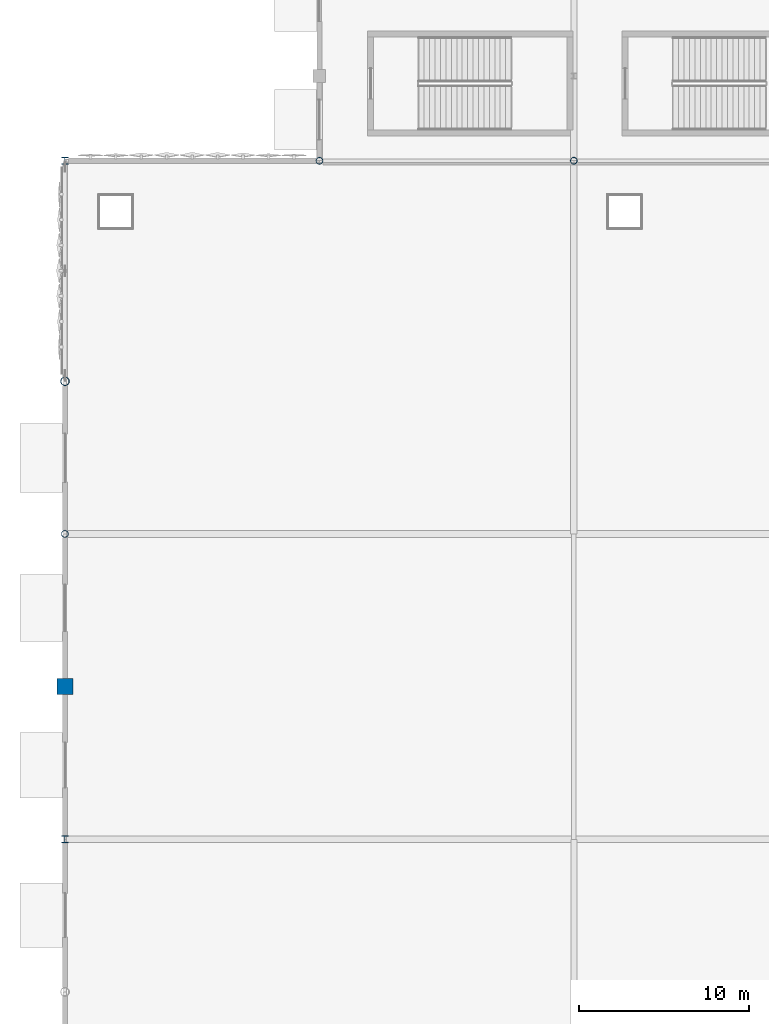
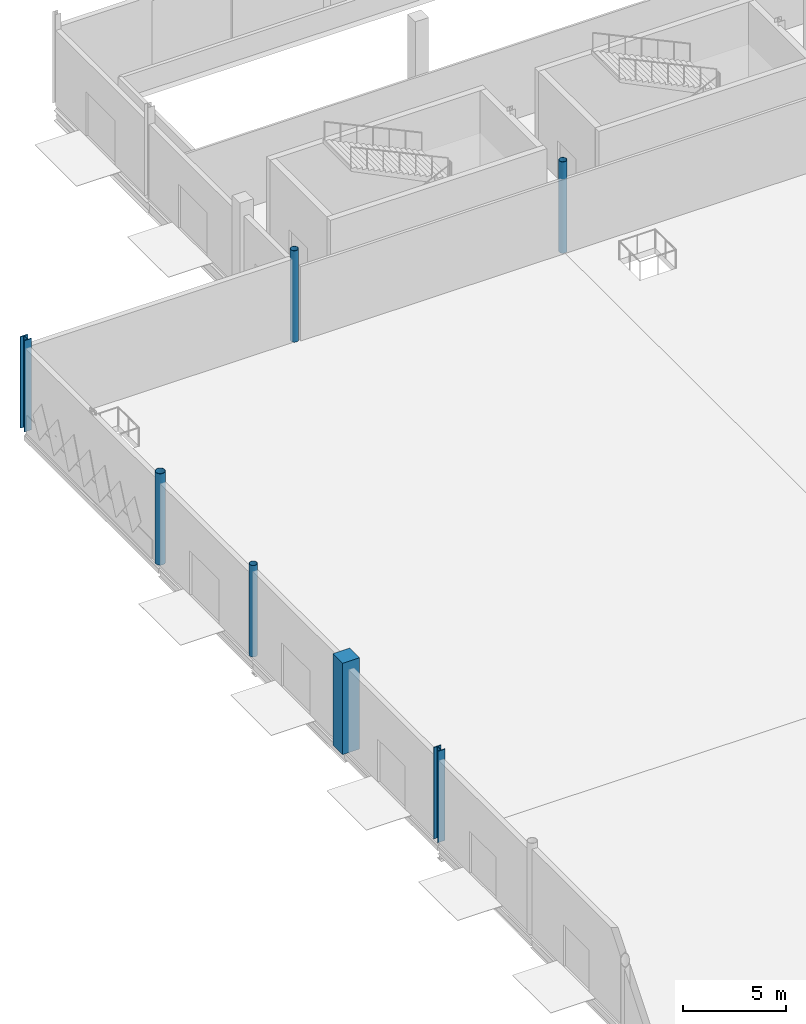
# One storey, part 7 of 94: 7 columns.
"""IFC4 building model written with IfcOpenShell, lengths in metres."""

from ifc_helpers import new_model, si_unit, direction, frame, origin, origin_2d, place, context, subcontext, project, spatial, rectangle, hollow_circle, i_section, extrude, material, material_profile, profile_set, type_object, element, save


model = new_model("IFC4")

# Units and contexts
model_context = context("Model", 3, precision=1e-05, world=origin(), true_north=direction((0.0, 1.0)))
body_context = subcontext(model_context, "Body", "Model", "MODEL_VIEW")
ifc_project = project(units=[si_unit("LENGTHUNIT", "METRE"), si_unit("AREAUNIT", "SQUARE_METRE"), si_unit("VOLUMEUNIT", "CUBIC_METRE"), si_unit("PLANEANGLEUNIT", "RADIAN"), si_unit("MASSUNIT", "GRAM", prefix="KILO")], contexts=[model_context])

# Site, building, storey
site_placement = place(None, origin())
site = spatial("IfcSite", under=ifc_project, at=site_placement, CompositionType="ELEMENT")
building_placement = place(site_placement, origin())
building = spatial("IfcBuilding", under=site, at=building_placement, Name="Qamarlyn Nura Convention Centre", CompositionType="ELEMENT")
storey_placement = place(building_placement, origin())
storey = spatial("IfcBuildingStorey", under=building, at=storey_placement, Name="L00", CompositionType="ELEMENT", Elevation=0.0)

# Columns
ifc_material_1 = material(Name="Pearl-white PVDF steel ASTM A500 Grade C", Category="steel")
ifc_material_profile_1 = material_profile(ifc_material_1, hollow_circle(Radius=0.25390625, WallThickness=0.02001953125, at=origin_2d()), Name="CHS508X20")
ifc_profile_set_1 = profile_set([ifc_material_profile_1], Name="Pearl-white PVDF steel ASTM A500 Grade C")
column_type_1 = type_object("IfcColumnType", Name="COL-HALL-1", PredefinedType="COLUMN", material=ifc_profile_set_1)
column_1_placement = place(storey_placement, frame((0.0, 90.0, 0.0), z_axis=(0.0, 0.0, 1.0), x_axis=(1.0, 0.0, 0.0)))
element("IfcColumn", 1, at=column_1_placement, inside=storey, type_object=column_type_1, Name="L00 column 1/L", PredefinedType="COLUMN", context=body_context, shape_type="SweptSolid", body=[
    extrude(hollow_circle(Radius=0.25390625, WallThickness=0.02001953125, at=origin_2d()), origin(), (0.0, 0.0, 1.0), 5.39990234375),
])
ifc_material_2 = material(Name="Concrete C50/60", Category="concrete")
ifc_material_profile_2 = material_profile(ifc_material_2, rectangle(XDim=0.949951171875, YDim=0.949951171875, at=origin_2d()), Name="RC 950x950")
ifc_profile_set_2 = profile_set([ifc_material_profile_2], Name="Concrete C50/60")
column_type_2 = type_object("IfcColumnType", Name="COL-HALL-2", PredefinedType="COLUMN", material=ifc_profile_set_2)
column_2_placement = place(storey_placement, frame((0.0, 72.0, 0.0), z_axis=(0.0, 0.0, 1.0), x_axis=(1.0, 0.0, 0.0)))
element("IfcColumn", 2, at=column_2_placement, inside=storey, type_object=column_type_2, Name="L00 column 1/J", PredefinedType="COLUMN", context=body_context, shape_type="SweptSolid", body=[
    extrude(rectangle(XDim=0.949951171875, YDim=0.949951171875, at=origin_2d()), origin(), (0.0, 0.0, 1.0), 5.39990234375),
])
ifc_material_3 = material(Name="Steel ASTM A992", Category="steel")
ifc_material_profile_3 = material_profile(ifc_material_3, i_section(OverallWidth=0.408935546875, OverallDepth=0.425048828125, WebThickness=0.030517578125, FlangeThickness=0.049072265625, FilletRadius=0.02001953125, at=origin_2d()), Name="W360X421")
ifc_profile_set_3 = profile_set([ifc_material_profile_3], Name="Steel ASTM A992")
column_type_3 = type_object("IfcColumnType", Name="COL-MEGA-1", PredefinedType="COLUMN", material=ifc_profile_set_3)
for number, where, z_axis, x_axis, name in (
    (3, (0.0, 63.0, 0.0), (0.0, 0.0, 1.0), (1.0, 0.0, 0.0), "L00 column 1/H"),
    (4, (0.0, 103.0, 0.0), (0.0, 0.0, 1.0), (1.0, 0.0, 0.0), "L00 column 1/M"),
):
    element("IfcColumn", number, at=place(storey_placement, frame(where, z_axis=z_axis, x_axis=x_axis)), inside=storey, type_object=column_type_3, Name=name, PredefinedType="COLUMN", context=body_context, shape_type="SweptSolid", body=[
        extrude(i_section(OverallWidth=0.408935546875, OverallDepth=0.425048828125, WebThickness=0.030517578125, FlangeThickness=0.049072265625, FilletRadius=0.02001953125, at=origin_2d()), origin(), (0.0, 0.0, 1.0), 5.39990234375),
    ])
ifc_material_profile_4 = material_profile(ifc_material_1, hollow_circle(Radius=0.203125, WallThickness=0.01611328125, at=origin_2d()), Name="CHS406.4X16")
ifc_profile_set_4 = profile_set([ifc_material_profile_4], Name="Pearl-white PVDF steel ASTM A500 Grade C")
column_type_4 = type_object("IfcColumnType", Name="COL-TUBE-1", PredefinedType="COLUMN", material=ifc_profile_set_4)
for number, where, z_axis, x_axis, name in (
    (5, (0.0, 81.0, 0.0), (0.0, 0.0, 1.0), (1.0, 0.0, 0.0), "L00 column 1/K"),
    (6, (15.0, 103.0, 0.0), (0.0, 0.0, 1.0), (1.0, 0.0, 0.0), "L00 column 2/M"),
    (7, (30.0, 103.0, 0.0), (0.0, 0.0, 1.0), (1.0, 0.0, 0.0), "L00 column 3/M"),
):
    element("IfcColumn", number, at=place(storey_placement, frame(where, z_axis=z_axis, x_axis=x_axis)), inside=storey, type_object=column_type_4, Name=name, PredefinedType="COLUMN", context=body_context, shape_type="SweptSolid", body=[
        extrude(hollow_circle(Radius=0.203125, WallThickness=0.01611328125, at=origin_2d()), origin(), (0.0, 0.0, 1.0), 5.39990234375),
    ])

save(model, "model.ifc")
